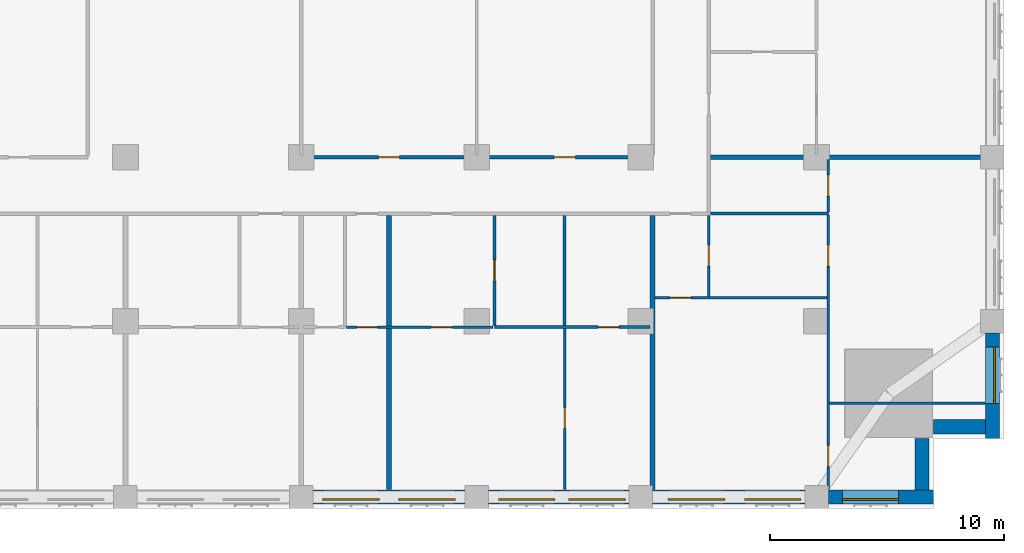
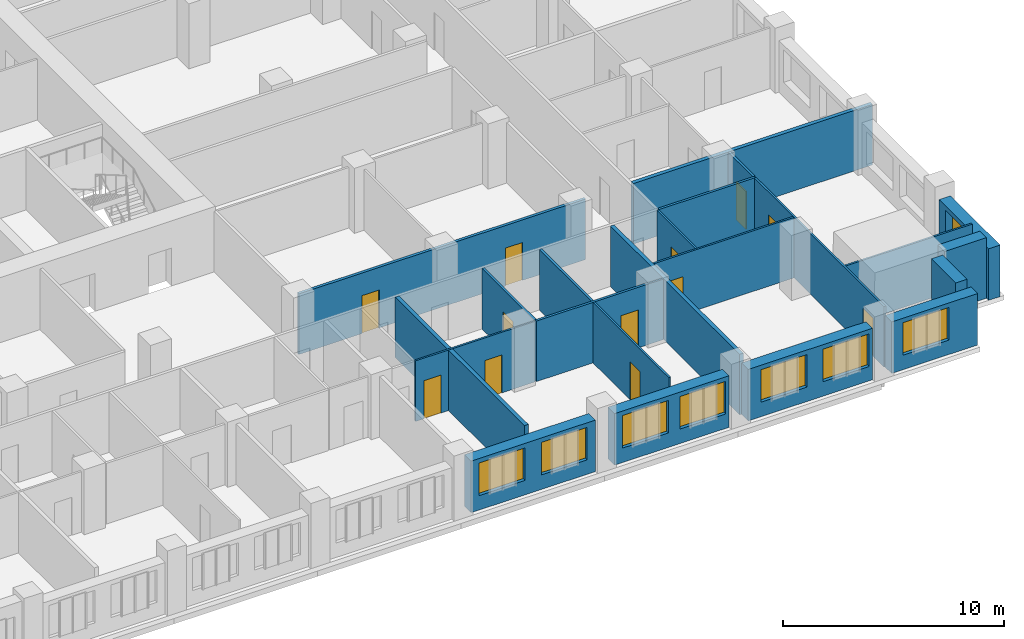
# One storey, part 6 of 14: 22 walls, 12 doors, 8 windows, 20 openings.
"""IFC4 building model written with IfcOpenShell, lengths in metres."""

from ifc_helpers import new_model, si_unit, direction, frame, frame_2d, origin, place, context, subcontext, project, spatial, rectangle, extrude, material, layer, layer_set, type_object, element, fill, save


model = new_model("IFC4")

# Units and contexts
model_context = context("Model", 3, precision=1e-05, world=origin(), true_north=direction((0.0, 1.0)))
body_context = subcontext(model_context, "Body", "Model", "MODEL_VIEW")
ifc_project = project(units=[si_unit("LENGTHUNIT", "METRE"), si_unit("AREAUNIT", "SQUARE_METRE"), si_unit("VOLUMEUNIT", "CUBIC_METRE"), si_unit("PLANEANGLEUNIT", "RADIAN"), si_unit("MASSUNIT", "GRAM", prefix="KILO")], contexts=[model_context])

# Site, building, storey
site_placement = place(None, origin())
site = spatial("IfcSite", under=ifc_project, at=site_placement, CompositionType="ELEMENT")
building_placement = place(site_placement, origin())
building = spatial("IfcBuilding", under=site, at=building_placement, Name="Tamorin Gate", CompositionType="ELEMENT")
storey_placement = place(building_placement, frame((0.0, 0.0, 79.10009765625)))
storey = spatial("IfcBuildingStorey", under=building, at=storey_placement, Name="L18", CompositionType="ELEMENT", Elevation=79.10009765625)

# Wall, openings, windows
ifc_material_1 = material(Name="Precast concrete C40/50", Category="concrete")
ifc_layer_1 = layer(ifc_material_1, 0.60009765625)
ifc_layer_set_1 = layer_set([ifc_layer_1], Name="Precast concrete C40/50")
wall_type_1 = type_object("IfcWallType", Name="Board-marked concrete facade panel 600", PredefinedType="SOLIDWALL", material=ifc_layer_set_1)
wall_1_placement = place(storey_placement, frame((60.5, 38.0, 0.0), z_axis=(0.0, 0.0, 1.0), x_axis=(1.0, 0.0, 0.0)))
wall_1 = element("IfcWall", 1, at=wall_1_placement, inside=storey, type_object=wall_type_1, Name="Facade panel", PredefinedType="SOLIDWALL", context=body_context, shape_type="SweptSolid", body=[
    extrude(rectangle(XDim=6.5, YDim=0.60009765625, at=frame_2d((3.25, 0.0))), origin(), (0.0, 0.0, 1.0), 2.849853515625),
])
opening_1_placement = place(wall_1_placement, frame((0.425048828125, 0.0, 0.800048828125)))
opening_1 = element("IfcOpeningElement", 2, at=opening_1_placement, cuts=wall_1, Name="Opening WN1", PredefinedType="OPENING", context=body_context, shape_type="SweptSolid", body=[
    extrude(rectangle(XDim=2.39990234375, YDim=1.800048828125, at=frame_2d((1.199951171875, 0.89990234375))), frame((0.0, 0.31005859375, 0.0), z_axis=(0.0, -1.0, 0.0), x_axis=(1.0, 0.0, 0.0)), (0.0, 0.0, 1.0), 0.6201171875),
])
opening_2_placement = place(wall_1_placement, frame((3.675048828125, 0.0, 0.800048828125)))
opening_2 = element("IfcOpeningElement", 3, at=opening_2_placement, cuts=wall_1, Name="Opening WN1", PredefinedType="OPENING", context=body_context, shape_type="SweptSolid", body=[
    extrude(rectangle(XDim=2.39990234375, YDim=1.800048828125, at=frame_2d((1.199951171875, 0.89990234375))), frame((0.0, 0.31005859375, 0.0), z_axis=(0.0, -1.0, 0.0), x_axis=(1.0, 0.0, 0.0)), (0.0, 0.0, 1.0), 0.6201171875),
])
ifc_material_2 = material(Name="Clear glass in aluminium frame", Category="aluminium")
window_type = type_object("IfcWindowType", Name="Deep-set window 2400x1800", PartitioningType="SINGLE_PANEL", PredefinedType="WINDOW", material=ifc_material_2)
window_1_placement = place(opening_1_placement, origin())
window_1 = element("IfcWindow", 4, at=window_1_placement, inside=storey, type_object=window_type, Name="Deep-set window", OverallHeight=1.800048828125, OverallWidth=2.39990234375, PartitioningType="SINGLE_PANEL", PredefinedType="WINDOW", context=body_context, shape_type="SweptSolid", body=[
    extrude(rectangle(XDim=2.39990234375, YDim=1.800048828125, at=frame_2d((1.199951171875, 0.89990234375))), frame((0.0, -0.070068359375, 0.0), z_axis=(0.0, -1.0, 0.0), x_axis=(1.0, 0.0, 0.0)), (0.0, 0.0, 1.0), 0.06005859375),
])
fill(opening_1, window_1)
window_2_placement = place(opening_2_placement, origin())
window_2 = element("IfcWindow", 5, at=window_2_placement, inside=storey, type_object=window_type, Name="Deep-set window", OverallHeight=1.800048828125, OverallWidth=2.39990234375, PartitioningType="SINGLE_PANEL", PredefinedType="WINDOW", context=body_context, shape_type="SweptSolid", body=[
    extrude(rectangle(XDim=2.39990234375, YDim=1.800048828125, at=frame_2d((1.199951171875, 0.89990234375))), frame((0.0, -0.070068359375, 0.0), z_axis=(0.0, -1.0, 0.0), x_axis=(1.0, 0.0, 0.0)), (0.0, 0.0, 1.0), 0.06005859375),
])
fill(opening_2, window_2)

wall_2_placement = place(storey_placement, frame((68.0, 38.0, 0.0), z_axis=(0.0, 0.0, 1.0), x_axis=(1.0, 0.0, 0.0)))
wall_2 = element("IfcWall", 6, at=wall_2_placement, inside=storey, type_object=wall_type_1, Name="Facade panel", PredefinedType="SOLIDWALL", context=body_context, shape_type="SweptSolid", body=[
    extrude(rectangle(XDim=6.0, YDim=0.60009765625, at=frame_2d((3.0, 0.0))), origin(), (0.0, 0.0, 1.0), 2.849853515625),
])
opening_3_placement = place(wall_2_placement, frame((0.425048828125, 0.0, 0.800048828125)))
opening_3 = element("IfcOpeningElement", 7, at=opening_3_placement, cuts=wall_2, Name="Opening WN1", PredefinedType="OPENING", context=body_context, shape_type="SweptSolid", body=[
    extrude(rectangle(XDim=2.39990234375, YDim=1.800048828125, at=frame_2d((1.199951171875, 0.89990234375))), frame((0.0, 0.31005859375, 0.0), z_axis=(0.0, -1.0, 0.0), x_axis=(1.0, 0.0, 0.0)), (0.0, 0.0, 1.0), 0.6201171875),
])
opening_4_placement = place(wall_2_placement, frame((3.425048828125, 0.0, 0.800048828125)))
opening_4 = element("IfcOpeningElement", 8, at=opening_4_placement, cuts=wall_2, Name="Opening WN1", PredefinedType="OPENING", context=body_context, shape_type="SweptSolid", body=[
    extrude(rectangle(XDim=2.39990234375, YDim=1.800048828125, at=frame_2d((1.199951171875, 0.89990234375))), frame((0.0, 0.31005859375, 0.0), z_axis=(0.0, -1.0, 0.0), x_axis=(1.0, 0.0, 0.0)), (0.0, 0.0, 1.0), 0.6201171875),
])
window_3_placement = place(opening_3_placement, origin())
window_3 = element("IfcWindow", 9, at=window_3_placement, inside=storey, type_object=window_type, Name="Deep-set window", OverallHeight=1.800048828125, OverallWidth=2.39990234375, PartitioningType="SINGLE_PANEL", PredefinedType="WINDOW", context=body_context, shape_type="SweptSolid", body=[
    extrude(rectangle(XDim=2.39990234375, YDim=1.800048828125, at=frame_2d((1.199951171875, 0.89990234375))), frame((0.0, -0.070068359375, 0.0), z_axis=(0.0, -1.0, 0.0), x_axis=(1.0, 0.0, 0.0)), (0.0, 0.0, 1.0), 0.06005859375),
])
fill(opening_3, window_3)
window_4_placement = place(opening_4_placement, origin())
window_4 = element("IfcWindow", 10, at=window_4_placement, inside=storey, type_object=window_type, Name="Deep-set window", OverallHeight=1.800048828125, OverallWidth=2.39990234375, PartitioningType="SINGLE_PANEL", PredefinedType="WINDOW", context=body_context, shape_type="SweptSolid", body=[
    extrude(rectangle(XDim=2.39990234375, YDim=1.800048828125, at=frame_2d((1.199951171875, 0.89990234375))), frame((0.0, -0.070068359375, 0.0), z_axis=(0.0, -1.0, 0.0), x_axis=(1.0, 0.0, 0.0)), (0.0, 0.0, 1.0), 0.06005859375),
])
fill(opening_4, window_4)

wall_3_placement = place(storey_placement, frame((75.0, 38.0, 0.0), z_axis=(0.0, 0.0, 1.0), x_axis=(1.0, 0.0, 0.0)))
wall_3 = element("IfcWall", 11, at=wall_3_placement, inside=storey, type_object=wall_type_1, Name="Facade panel", PredefinedType="SOLIDWALL", context=body_context, shape_type="SweptSolid", body=[
    extrude(rectangle(XDim=6.5, YDim=0.60009765625, at=frame_2d((3.25, 0.0))), origin(), (0.0, 0.0, 1.0), 2.849853515625),
])
opening_5_placement = place(wall_3_placement, frame((0.675048828125, 0.0, 0.800048828125)))
opening_5 = element("IfcOpeningElement", 12, at=opening_5_placement, cuts=wall_3, Name="Opening WN1", PredefinedType="OPENING", context=body_context, shape_type="SweptSolid", body=[
    extrude(rectangle(XDim=2.39990234375, YDim=1.800048828125, at=frame_2d((1.199951171875, 0.89990234375))), frame((0.0, 0.31005859375, 0.0), z_axis=(0.0, -1.0, 0.0), x_axis=(1.0, 0.0, 0.0)), (0.0, 0.0, 1.0), 0.6201171875),
])
opening_6_placement = place(wall_3_placement, frame((3.925048828125, 0.0, 0.800048828125)))
opening_6 = element("IfcOpeningElement", 13, at=opening_6_placement, cuts=wall_3, Name="Opening WN1", PredefinedType="OPENING", context=body_context, shape_type="SweptSolid", body=[
    extrude(rectangle(XDim=2.39990234375, YDim=1.800048828125, at=frame_2d((1.199951171875, 0.89990234375))), frame((0.0, 0.31005859375, 0.0), z_axis=(0.0, -1.0, 0.0), x_axis=(1.0, 0.0, 0.0)), (0.0, 0.0, 1.0), 0.6201171875),
])
window_5_placement = place(opening_5_placement, origin())
window_5 = element("IfcWindow", 14, at=window_5_placement, inside=storey, type_object=window_type, Name="Deep-set window", OverallHeight=1.800048828125, OverallWidth=2.39990234375, PartitioningType="SINGLE_PANEL", PredefinedType="WINDOW", context=body_context, shape_type="SweptSolid", body=[
    extrude(rectangle(XDim=2.39990234375, YDim=1.800048828125, at=frame_2d((1.199951171875, 0.89990234375))), frame((0.0, -0.070068359375, 0.0), z_axis=(0.0, -1.0, 0.0), x_axis=(1.0, 0.0, 0.0)), (0.0, 0.0, 1.0), 0.06005859375),
])
fill(opening_5, window_5)
window_6_placement = place(opening_6_placement, origin())
window_6 = element("IfcWindow", 15, at=window_6_placement, inside=storey, type_object=window_type, Name="Deep-set window", OverallHeight=1.800048828125, OverallWidth=2.39990234375, PartitioningType="SINGLE_PANEL", PredefinedType="WINDOW", context=body_context, shape_type="SweptSolid", body=[
    extrude(rectangle(XDim=2.39990234375, YDim=1.800048828125, at=frame_2d((1.199951171875, 0.89990234375))), frame((0.0, -0.070068359375, 0.0), z_axis=(0.0, -1.0, 0.0), x_axis=(1.0, 0.0, 0.0)), (0.0, 0.0, 1.0), 0.06005859375),
])
fill(opening_6, window_6)

# Wall, opening, window
wall_4_placement = place(storey_placement, frame((82.5, 38.0, 0.0), z_axis=(0.0, 0.0, 1.0), x_axis=(1.0, 0.0, 0.0)))
wall_4 = element("IfcWall", 16, at=wall_4_placement, inside=storey, type_object=wall_type_1, Name="Facade panel", PredefinedType="SOLIDWALL", context=body_context, shape_type="SweptSolid", body=[
    extrude(rectangle(XDim=4.5, YDim=0.60009765625, at=frame_2d((2.25, 0.0))), origin(), (0.0, 0.0, 1.0), 2.849853515625),
])
opening_7_placement = place(wall_4_placement, frame((0.60009765625, 0.0, 0.800048828125)))
opening_7 = element("IfcOpeningElement", 17, at=opening_7_placement, cuts=wall_4, Name="Opening WN1", PredefinedType="OPENING", context=body_context, shape_type="SweptSolid", body=[
    extrude(rectangle(XDim=2.39990234375, YDim=1.800048828125, at=frame_2d((1.199951171875, 0.89990234375))), frame((0.0, 0.31005859375, 0.0), z_axis=(0.0, -1.0, 0.0), x_axis=(1.0, 0.0, 0.0)), (0.0, 0.0, 1.0), 0.6201171875),
])
window_7_placement = place(opening_7_placement, origin())
window_7 = element("IfcWindow", 18, at=window_7_placement, inside=storey, type_object=window_type, Name="Deep-set window", OverallHeight=1.800048828125, OverallWidth=2.39990234375, PartitioningType="SINGLE_PANEL", PredefinedType="WINDOW", context=body_context, shape_type="SweptSolid", body=[
    extrude(rectangle(XDim=2.39990234375, YDim=1.800048828125, at=frame_2d((1.199951171875, 0.89990234375))), frame((0.0, -0.070068359375, 0.0), z_axis=(0.0, -1.0, 0.0), x_axis=(1.0, 0.0, 0.0)), (0.0, 0.0, 1.0), 0.06005859375),
])
fill(opening_7, window_7)

# Walls
for number, where, z_axis, x_axis, name in (
    (19, (86.5, 38.300048828125, 0.0), (0.0, 0.0, 1.0), (0.0, 1.0, 0.0), "Facade panel"),
    (20, (87.0, 41.0, 0.0), (0.0, 0.0, 1.0), (1.0, 0.0, 0.0), "Facade panel"),
):
    element("IfcWall", number, at=place(storey_placement, frame(where, z_axis=z_axis, x_axis=x_axis)), inside=storey, type_object=wall_type_1, Name=name, PredefinedType="SOLIDWALL", context=body_context, shape_type="SweptSolid", body=[
        extrude(rectangle(XDim=2.199951171875, YDim=0.60009765625, at=frame_2d((1.10009765625, 0.0))), origin(), (0.0, 0.0, 1.0), 3.349853515625),
    ])

# Wall, opening, window
wall_5_placement = place(storey_placement, frame((89.5, 40.5, 0.0), z_axis=(0.0, 0.0, 1.0), x_axis=(0.0, 1.0, 0.0)))
wall_5 = element("IfcWall", 21, at=wall_5_placement, inside=storey, type_object=wall_type_1, Name="Facade panel", PredefinedType="SOLIDWALL", context=body_context, shape_type="SweptSolid", body=[
    extrude(rectangle(XDim=4.5, YDim=0.60009765625, at=frame_2d((2.25, 0.0))), origin(), (0.0, 0.0, 1.0), 2.849853515625),
])
opening_8_placement = place(wall_5_placement, frame((1.5, 0.0, 0.800048828125)))
opening_8 = element("IfcOpeningElement", 22, at=opening_8_placement, cuts=wall_5, Name="Opening WN1", PredefinedType="OPENING", context=body_context, shape_type="SweptSolid", body=[
    extrude(rectangle(XDim=2.39990234375, YDim=1.800048828125, at=frame_2d((1.199951171875, 0.89990234375))), frame((0.0, 0.31005859375, 0.0), z_axis=(0.0, -1.0, 0.0), x_axis=(1.0, 0.0, 0.0)), (0.0, 0.0, 1.0), 0.6201171875),
])
window_8_placement = place(opening_8_placement, origin())
window_8 = element("IfcWindow", 23, at=window_8_placement, inside=storey, type_object=window_type, Name="Deep-set window", OverallHeight=1.800048828125, OverallWidth=2.39990234375, PartitioningType="SINGLE_PANEL", PredefinedType="WINDOW", context=body_context, shape_type="SweptSolid", body=[
    extrude(rectangle(XDim=2.39990234375, YDim=1.800048828125, at=frame_2d((1.199951171875, 0.89990234375))), frame((0.0, -0.070068359375, 0.0), z_axis=(0.0, -1.0, 0.0), x_axis=(1.0, 0.0, 0.0)), (0.0, 0.0, 1.0), 0.06005859375),
])
fill(opening_8, window_8)

# Wall, openings, doors
ifc_material_3 = material(Name="Gypsum board partition")
ifc_layer_2 = layer(ifc_material_3, 0.14990234375)
ifc_layer_set_2 = layer_set([ifc_layer_2], Name="Corridor wall 150")
wall_type_2 = type_object("IfcWallType", Name="Corridor wall 150", PredefinedType="PARTITIONING", material=ifc_layer_set_2)
wall_6_placement = place(storey_placement, frame((60.0, 52.5, 0.0), z_axis=(0.0, 0.0, 1.0), x_axis=(1.0, 0.0, 0.0)))
wall_6 = element("IfcWall", 24, at=wall_6_placement, inside=storey, type_object=wall_type_2, Name="Corridor wall 150", PredefinedType="PARTITIONING", context=body_context, shape_type="SweptSolid", body=[
    extrude(rectangle(XDim=15.0, YDim=0.14990234375, at=frame_2d((7.5, 0.0))), origin(), (0.0, 0.0, 1.0), 3.349853515625),
])
opening_9_placement = place(wall_6_placement, frame((3.300048828125, 0.0, 0.0)))
opening_9 = element("IfcOpeningElement", 25, at=opening_9_placement, cuts=wall_6, Name="Opening DH5074", PredefinedType="OPENING", context=body_context, shape_type="SweptSolid", body=[
    extrude(rectangle(XDim=0.89990234375, YDim=2.10009765625, at=frame_2d((0.449951171875, 1.050048828125))), frame((0.0, 0.0849609375, 0.0), z_axis=(0.0, -1.0, 0.0), x_axis=(1.0, 0.0, 0.0)), (0.0, 0.0, 1.0), 0.169921875),
])
opening_10_placement = place(wall_6_placement, frame((10.800048828125, 0.0, 0.0)))
opening_10 = element("IfcOpeningElement", 26, at=opening_10_placement, cuts=wall_6, Name="Opening DH5075", PredefinedType="OPENING", context=body_context, shape_type="SweptSolid", body=[
    extrude(rectangle(XDim=0.89990234375, YDim=2.10009765625, at=frame_2d((0.449951171875, 1.050048828125))), frame((0.0, 0.0849609375, 0.0), z_axis=(0.0, -1.0, 0.0), x_axis=(1.0, 0.0, 0.0)), (0.0, 0.0, 1.0), 0.169921875),
])
ifc_material_4 = material(Name="Timber door leaf", Category="wood")
door_type_1 = type_object("IfcDoorType", Name="Door 900 x 2100 FD30S", OperationType="NOTDEFINED", PredefinedType="DOOR", material=ifc_material_4)
door_1_placement = place(opening_9_placement, origin())
door_1 = element("IfcDoor", 27, at=door_1_placement, inside=storey, type_object=door_type_1, Name="Door DH5074", OperationType="SINGLE_SWING_LEFT", OverallHeight=2.10009765625, OverallWidth=0.89990234375, PredefinedType="DOOR", context=body_context, shape_type="SweptSolid", body=[
    extrude(rectangle(XDim=0.89990234375, YDim=2.10009765625, at=frame_2d((0.449951171875, 1.050048828125))), frame((0.0, 0.02490234375, 0.0), z_axis=(0.0, -1.0, 0.0), x_axis=(1.0, 0.0, 0.0)), (0.0, 0.0, 1.0), 0.050048828125),
])
fill(opening_9, door_1)
door_2_placement = place(opening_10_placement, origin())
door_2 = element("IfcDoor", 28, at=door_2_placement, inside=storey, type_object=door_type_1, Name="Door DH5075", OperationType="SINGLE_SWING_LEFT", OverallHeight=2.10009765625, OverallWidth=0.89990234375, PredefinedType="DOOR", context=body_context, shape_type="SweptSolid", body=[
    extrude(rectangle(XDim=0.89990234375, YDim=2.10009765625, at=frame_2d((0.449951171875, 1.050048828125))), frame((0.0, 0.02490234375, 0.0), z_axis=(0.0, -1.0, 0.0), x_axis=(1.0, 0.0, 0.0)), (0.0, 0.0, 1.0), 0.050048828125),
])
fill(opening_10, door_2)

# Walls
ifc_layer_3 = layer(ifc_material_3, 0.199951171875)
ifc_layer_set_3 = layer_set([ifc_layer_3], Name="Demising wall 200")
wall_type_3 = type_object("IfcWallType", Name="Demising wall 200", PredefinedType="PARTITIONING", material=ifc_layer_set_3)
wall_7_placement = place(storey_placement, frame((77.47509765625, 52.5, 0.0), z_axis=(0.0, 0.0, 1.0), x_axis=(1.0, 0.0, 0.0)))
element("IfcWall", 29, at=wall_7_placement, inside=storey, type_object=wall_type_3, Name="Demising wall 200", PredefinedType="PARTITIONING", context=body_context, shape_type="SweptSolid", body=[
    extrude(rectangle(XDim=12.52490234375, YDim=0.199951171875, at=frame_2d((6.262451171875, 0.0))), origin(), (0.0, 0.0, 1.0), 3.349853515625),
])
for number, where, z_axis, x_axis, name in (
    (30, (63.75, 38.31005859375, 0.0), (0.0, 0.0, 1.0), (0.0, 1.0, 0.0), "Demising wall 200"),
    (31, (75.0, 38.31005859375, 0.0), (0.0, 0.0, 1.0), (0.0, 1.0, 0.0), "Demising wall 200"),
):
    element("IfcWall", number, at=place(storey_placement, frame(where, z_axis=z_axis, x_axis=x_axis)), inside=storey, type_object=wall_type_3, Name=name, PredefinedType="PARTITIONING", context=body_context, shape_type="SweptSolid", body=[
        extrude(rectangle(XDim=11.71484375, YDim=0.199951171875, at=frame_2d((5.857421875, 0.0))), origin(), (0.0, 0.0, 1.0), 3.349853515625),
    ])
ifc_layer_4 = layer(ifc_material_3, 0.10009765625)
ifc_layer_set_4 = layer_set([ifc_layer_4], Name="Room partition 100")
wall_type_4 = type_object("IfcWallType", Name="Room partition 100", PredefinedType="PARTITIONING", material=ifc_layer_set_4)
wall_8_placement = place(storey_placement, frame((82.550048828125, 42.0, 0.0), z_axis=(0.0, 0.0, 1.0), x_axis=(1.0, 0.0, 0.0)))
element("IfcWall", 32, at=wall_8_placement, inside=storey, type_object=wall_type_4, Name="Room partition 100", PredefinedType="PARTITIONING", context=body_context, shape_type="SweptSolid", body=[
    extrude(rectangle(XDim=6.639892578125, YDim=0.10009765625, at=frame_2d((3.31982421875, 0.0))), origin(), (0.0, 0.0, 1.0), 3.349853515625),
])

# Wall, openings, doors
wall_9_placement = place(storey_placement, frame((61.9375, 45.25, 0.0), z_axis=(0.0, 0.0, 1.0), x_axis=(1.0, 0.0, 0.0)))
wall_9 = element("IfcWall", 33, at=wall_9_placement, inside=storey, type_object=wall_type_4, Name="Room partition 100", PredefinedType="PARTITIONING", context=body_context, shape_type="SweptSolid", body=[
    extrude(rectangle(XDim=6.25, YDim=0.10009765625, at=frame_2d((3.125, 0.0))), origin(), (0.0, 0.0, 1.0), 3.349853515625),
])
opening_11_placement = place(wall_9_placement, frame((0.425048828125, 0.0, 0.0)))
opening_11 = element("IfcOpeningElement", 34, at=opening_11_placement, cuts=wall_9, Name="Opening DH5015", PredefinedType="OPENING", context=body_context, shape_type="SweptSolid", body=[
    extrude(rectangle(XDim=0.89990234375, YDim=2.10009765625, at=frame_2d((0.449951171875, 1.050048828125))), frame((0.0, 0.06005859375, 0.0), z_axis=(0.0, -1.0, 0.0), x_axis=(1.0, 0.0, 0.0)), (0.0, 0.0, 1.0), 0.1201171875),
])
opening_12_placement = place(wall_9_placement, frame((3.612548828125, 0.0, 0.0)))
opening_12 = element("IfcOpeningElement", 35, at=opening_12_placement, cuts=wall_9, Name="Opening DH5017", PredefinedType="OPENING", context=body_context, shape_type="SweptSolid", body=[
    extrude(rectangle(XDim=0.89990234375, YDim=2.10009765625, at=frame_2d((0.449951171875, 1.050048828125))), frame((0.0, 0.06005859375, 0.0), z_axis=(0.0, -1.0, 0.0), x_axis=(1.0, 0.0, 0.0)), (0.0, 0.0, 1.0), 0.1201171875),
])
door_type_2 = type_object("IfcDoorType", Name="Door 900 x 2100", OperationType="NOTDEFINED", PredefinedType="DOOR", material=ifc_material_4)
door_3_placement = place(opening_11_placement, origin())
door_3 = element("IfcDoor", 36, at=door_3_placement, inside=storey, type_object=door_type_2, Name="Door DH5015", OperationType="SINGLE_SWING_LEFT", OverallHeight=2.10009765625, OverallWidth=0.89990234375, PredefinedType="DOOR", context=body_context, shape_type="SweptSolid", body=[
    extrude(rectangle(XDim=0.89990234375, YDim=2.10009765625, at=frame_2d((0.449951171875, 1.050048828125))), frame((0.0, 0.02490234375, 0.0), z_axis=(0.0, -1.0, 0.0), x_axis=(1.0, 0.0, 0.0)), (0.0, 0.0, 1.0), 0.050048828125),
])
fill(opening_11, door_3)
door_4_placement = place(opening_12_placement, origin())
door_4 = element("IfcDoor", 37, at=door_4_placement, inside=storey, type_object=door_type_2, Name="Door DH5017", OperationType="SINGLE_SWING_LEFT", OverallHeight=2.10009765625, OverallWidth=0.89990234375, PredefinedType="DOOR", context=body_context, shape_type="SweptSolid", body=[
    extrude(rectangle(XDim=0.89990234375, YDim=2.10009765625, at=frame_2d((0.449951171875, 1.050048828125))), frame((0.0, 0.02490234375, 0.0), z_axis=(0.0, -1.0, 0.0), x_axis=(1.0, 0.0, 0.0)), (0.0, 0.0, 1.0), 0.050048828125),
])
fill(opening_12, door_4)

# Wall, opening, door
wall_10_placement = place(storey_placement, frame((75.10009765625, 46.5, 0.0), z_axis=(0.0, 0.0, 1.0), x_axis=(1.0, 0.0, 0.0)))
wall_10 = element("IfcWall", 38, at=wall_10_placement, inside=storey, type_object=wall_type_4, Name="Room partition 100", PredefinedType="PARTITIONING", context=body_context, shape_type="SweptSolid", body=[
    extrude(rectangle(XDim=7.349853515625, YDim=0.10009765625, at=frame_2d((3.6748046875, 0.0))), origin(), (0.0, 0.0, 1.0), 3.349853515625),
])
opening_13_placement = place(wall_10_placement, frame((0.64990234375, 0.0, 0.0)))
opening_13 = element("IfcOpeningElement", 39, at=opening_13_placement, cuts=wall_10, Name="Opening DH5061", PredefinedType="OPENING", context=body_context, shape_type="SweptSolid", body=[
    extrude(rectangle(XDim=0.89990234375, YDim=2.10009765625, at=frame_2d((0.449951171875, 1.050048828125))), frame((0.0, 0.06005859375, 0.0), z_axis=(0.0, -1.0, 0.0), x_axis=(1.0, 0.0, 0.0)), (0.0, 0.0, 1.0), 0.1201171875),
])
door_5_placement = place(opening_13_placement, origin())
door_5 = element("IfcDoor", 40, at=door_5_placement, inside=storey, type_object=door_type_2, Name="Door DH5061", OperationType="SINGLE_SWING_RIGHT", OverallHeight=2.10009765625, OverallWidth=0.89990234375, PredefinedType="DOOR", context=body_context, shape_type="SweptSolid", body=[
    extrude(rectangle(XDim=0.89990234375, YDim=2.10009765625, at=frame_2d((0.449951171875, 1.050048828125))), frame((0.0, 0.02490234375, 0.0), z_axis=(0.0, -1.0, 0.0), x_axis=(1.0, 0.0, 0.0)), (0.0, 0.0, 1.0), 0.050048828125),
])
fill(opening_13, door_5)

wall_11_placement = place(storey_placement, frame((71.25, 38.31005859375, 0.0), z_axis=(0.0, 0.0, 1.0), x_axis=(0.0, 1.0, 0.0)))
wall_11 = element("IfcWall", 41, at=wall_11_placement, inside=storey, type_object=wall_type_4, Name="Room partition 100", PredefinedType="PARTITIONING", context=body_context, shape_type="SweptSolid", body=[
    extrude(rectangle(XDim=6.87744140625, YDim=0.10009765625, at=frame_2d((3.438720703125, 0.0))), origin(), (0.0, 0.0, 1.0), 3.349853515625),
])
opening_14_placement = place(wall_11_placement, frame((2.614990234375, 0.0, 0.0)))
opening_14 = element("IfcOpeningElement", 42, at=opening_14_placement, cuts=wall_11, Name="Opening DH5020", PredefinedType="OPENING", context=body_context, shape_type="SweptSolid", body=[
    extrude(rectangle(XDim=0.89990234375, YDim=2.10009765625, at=frame_2d((0.449951171875, 1.050048828125))), frame((0.0, 0.06005859375, 0.0), z_axis=(0.0, -1.0, 0.0), x_axis=(1.0, 0.0, 0.0)), (0.0, 0.0, 1.0), 0.1201171875),
])
door_6_placement = place(opening_14_placement, origin())
door_6 = element("IfcDoor", 43, at=door_6_placement, inside=storey, type_object=door_type_2, Name="Door DH5020", OperationType="SINGLE_SWING_LEFT", OverallHeight=2.10009765625, OverallWidth=0.89990234375, PredefinedType="DOOR", context=body_context, shape_type="SweptSolid", body=[
    extrude(rectangle(XDim=0.89990234375, YDim=2.10009765625, at=frame_2d((0.449951171875, 1.050048828125))), frame((0.0, 0.02490234375, 0.0), z_axis=(0.0, -1.0, 0.0), x_axis=(1.0, 0.0, 0.0)), (0.0, 0.0, 1.0), 0.050048828125),
])
fill(opening_14, door_6)

wall_12_placement = place(storey_placement, frame((77.39990234375, 46.550048828125, 0.0), z_axis=(0.0, 0.0, 1.0), x_axis=(0.0, 1.0, 0.0)))
wall_12 = element("IfcWall", 44, at=wall_12_placement, inside=storey, type_object=wall_type_4, Name="Room partition 100", PredefinedType="PARTITIONING", context=body_context, shape_type="SweptSolid", body=[
    extrude(rectangle(XDim=3.474853515625, YDim=0.10009765625, at=frame_2d((1.7373046875, 0.0))), origin(), (0.0, 0.0, 1.0), 3.349853515625),
])
opening_15_placement = place(wall_12_placement, frame((1.300048828125, 0.0, 0.0)))
opening_15 = element("IfcOpeningElement", 45, at=opening_15_placement, cuts=wall_12, Name="Opening DH5062", PredefinedType="OPENING", context=body_context, shape_type="SweptSolid", body=[
    extrude(rectangle(XDim=0.89990234375, YDim=2.10009765625, at=frame_2d((0.449951171875, 1.050048828125))), frame((0.0, 0.06005859375, 0.0), z_axis=(0.0, -1.0, 0.0), x_axis=(1.0, 0.0, 0.0)), (0.0, 0.0, 1.0), 0.1201171875),
])
door_7_placement = place(opening_15_placement, origin())
door_7 = element("IfcDoor", 46, at=door_7_placement, inside=storey, type_object=door_type_2, Name="Door DH5062", OperationType="SINGLE_SWING_RIGHT", OverallHeight=2.10009765625, OverallWidth=0.89990234375, PredefinedType="DOOR", context=body_context, shape_type="SweptSolid", body=[
    extrude(rectangle(XDim=0.89990234375, YDim=2.10009765625, at=frame_2d((0.449951171875, 1.050048828125))), frame((0.0, 0.02490234375, 0.0), z_axis=(0.0, -1.0, 0.0), x_axis=(1.0, 0.0, 0.0)), (0.0, 0.0, 1.0), 0.050048828125),
])
fill(opening_15, door_7)

# Wall, openings, doors
wall_13_placement = place(storey_placement, frame((82.5, 38.31005859375, 0.0), z_axis=(0.0, 0.0, 1.0), x_axis=(0.0, 1.0, 0.0)))
wall_13 = element("IfcWall", 47, at=wall_13_placement, inside=storey, type_object=wall_type_4, Name="Room partition 100", PredefinedType="PARTITIONING", context=body_context, shape_type="SweptSolid", body=[
    extrude(rectangle(XDim=11.7275390625, YDim=0.10009765625, at=frame_2d((5.86376953125, 0.0))), origin(), (0.0, 0.0, 1.0), 3.349853515625),
])
opening_16_placement = place(wall_13_placement, frame((0.989990234375, 0.0, 0.0)))
opening_16 = element("IfcOpeningElement", 48, at=opening_16_placement, cuts=wall_13, Name="Opening DH5063", PredefinedType="OPENING", context=body_context, shape_type="SweptSolid", body=[
    extrude(rectangle(XDim=0.89990234375, YDim=2.10009765625, at=frame_2d((0.449951171875, 1.050048828125))), frame((0.0, 0.06005859375, 0.0), z_axis=(0.0, -1.0, 0.0), x_axis=(1.0, 0.0, 0.0)), (0.0, 0.0, 1.0), 0.1201171875),
])
opening_17_placement = place(wall_13_placement, frame((9.5400390625, 0.0, 0.0)))
opening_17 = element("IfcOpeningElement", 49, at=opening_17_placement, cuts=wall_13, Name="Opening DH5064", PredefinedType="OPENING", context=body_context, shape_type="SweptSolid", body=[
    extrude(rectangle(XDim=0.89990234375, YDim=2.10009765625, at=frame_2d((0.449951171875, 1.050048828125))), frame((0.0, 0.06005859375, 0.0), z_axis=(0.0, -1.0, 0.0), x_axis=(1.0, 0.0, 0.0)), (0.0, 0.0, 1.0), 0.1201171875),
])
door_8_placement = place(opening_16_placement, origin())
door_8 = element("IfcDoor", 50, at=door_8_placement, inside=storey, type_object=door_type_2, Name="Door DH5063", OperationType="SINGLE_SWING_LEFT", OverallHeight=2.10009765625, OverallWidth=0.89990234375, PredefinedType="DOOR", context=body_context, shape_type="SweptSolid", body=[
    extrude(rectangle(XDim=0.89990234375, YDim=2.10009765625, at=frame_2d((0.449951171875, 1.050048828125))), frame((0.0, 0.02490234375, 0.0), z_axis=(0.0, -1.0, 0.0), x_axis=(1.0, 0.0, 0.0)), (0.0, 0.0, 1.0), 0.050048828125),
])
fill(opening_16, door_8)
door_9_placement = place(opening_17_placement, origin())
door_9 = element("IfcDoor", 51, at=door_9_placement, inside=storey, type_object=door_type_2, Name="Door DH5064", OperationType="SINGLE_SWING_RIGHT", OverallHeight=2.10009765625, OverallWidth=0.89990234375, PredefinedType="DOOR", context=body_context, shape_type="SweptSolid", body=[
    extrude(rectangle(XDim=0.89990234375, YDim=2.10009765625, at=frame_2d((0.449951171875, 1.050048828125))), frame((0.0, 0.02490234375, 0.0), z_axis=(0.0, -1.0, 0.0), x_axis=(1.0, 0.0, 0.0)), (0.0, 0.0, 1.0), 0.050048828125),
])
fill(opening_17, door_9)

# Wall, opening, door
ifc_layer_5 = layer(ifc_material_3, 0.125)
ifc_layer_set_5 = layer_set([ifc_layer_5], Name="Wet wall 125")
wall_type_5 = type_object("IfcWallType", Name="Wet wall 125", PredefinedType="PARTITIONING", material=ifc_layer_set_5)
wall_14_placement = place(storey_placement, frame((68.25, 45.25, 0.0), z_axis=(0.0, 0.0, 1.0), x_axis=(1.0, 0.0, 0.0)))
wall_14 = element("IfcWall", 52, at=wall_14_placement, inside=storey, type_object=wall_type_5, Name="Wet wall 125", PredefinedType="PARTITIONING", context=body_context, shape_type="SweptSolid", body=[
    extrude(rectangle(XDim=6.64990234375, YDim=0.125, at=frame_2d((3.324951171875, 0.0))), origin(), (0.0, 0.0, 1.0), 3.349853515625),
])
opening_18_placement = place(wall_14_placement, frame((4.425048828125, 0.0, 0.0)))
opening_18 = element("IfcOpeningElement", 53, at=opening_18_placement, cuts=wall_14, Name="Opening DH5019", PredefinedType="OPENING", context=body_context, shape_type="SweptSolid", body=[
    extrude(rectangle(XDim=0.89990234375, YDim=2.10009765625, at=frame_2d((0.449951171875, 1.050048828125))), frame((0.0, 0.072509765625, 0.0), z_axis=(0.0, -1.0, 0.0), x_axis=(1.0, 0.0, 0.0)), (0.0, 0.0, 1.0), 0.14501953125),
])
door_10_placement = place(opening_18_placement, origin())
door_10 = element("IfcDoor", 54, at=door_10_placement, inside=storey, type_object=door_type_2, Name="Door DH5019", OperationType="SINGLE_SWING_LEFT", OverallHeight=2.10009765625, OverallWidth=0.89990234375, PredefinedType="DOOR", context=body_context, shape_type="SweptSolid", body=[
    extrude(rectangle(XDim=0.89990234375, YDim=2.10009765625, at=frame_2d((0.449951171875, 1.050048828125))), frame((0.0, 0.02490234375, 0.0), z_axis=(0.0, -1.0, 0.0), x_axis=(1.0, 0.0, 0.0)), (0.0, 0.0, 1.0), 0.050048828125),
])
fill(opening_18, door_10)

# Wall
wall_15_placement = place(storey_placement, frame((77.47509765625, 50.10009765625, 0.0), z_axis=(0.0, 0.0, 1.0), x_axis=(1.0, 0.0, 0.0)))
element("IfcWall", 55, at=wall_15_placement, inside=storey, type_object=wall_type_5, Name="Wet wall 125", PredefinedType="PARTITIONING", context=body_context, shape_type="SweptSolid", body=[
    extrude(rectangle(XDim=5.02490234375, YDim=0.125, at=frame_2d((2.512451171875, 0.0))), origin(), (0.0, 0.0, 1.0), 3.349853515625),
])

# Wall, opening, door
wall_16_placement = place(storey_placement, frame((68.25, 45.3125, 0.0), z_axis=(0.0, 0.0, 1.0), x_axis=(0.0, 1.0, 0.0)))
wall_16 = element("IfcWall", 56, at=wall_16_placement, inside=storey, type_object=wall_type_5, Name="Wet wall 125", PredefinedType="PARTITIONING", context=body_context, shape_type="SweptSolid", body=[
    extrude(rectangle(XDim=4.71240234375, YDim=0.125, at=frame_2d((2.356201171875, 0.0))), origin(), (0.0, 0.0, 1.0), 3.349853515625),
])
opening_19_placement = place(wall_16_placement, frame((1.91259765625, 0.0, 0.0)))
opening_19 = element("IfcOpeningElement", 57, at=opening_19_placement, cuts=wall_16, Name="Opening DH5018", PredefinedType="OPENING", context=body_context, shape_type="SweptSolid", body=[
    extrude(rectangle(XDim=0.89990234375, YDim=2.10009765625, at=frame_2d((0.449951171875, 1.050048828125))), frame((0.0, 0.072509765625, 0.0), z_axis=(0.0, -1.0, 0.0), x_axis=(1.0, 0.0, 0.0)), (0.0, 0.0, 1.0), 0.14501953125),
])
door_11_placement = place(opening_19_placement, origin())
door_11 = element("IfcDoor", 58, at=door_11_placement, inside=storey, type_object=door_type_2, Name="Door DH5018", OperationType="SINGLE_SWING_LEFT", OverallHeight=2.10009765625, OverallWidth=0.89990234375, PredefinedType="DOOR", context=body_context, shape_type="SweptSolid", body=[
    extrude(rectangle(XDim=0.89990234375, YDim=2.10009765625, at=frame_2d((0.449951171875, 1.050048828125))), frame((0.0, 0.02490234375, 0.0), z_axis=(0.0, -1.0, 0.0), x_axis=(1.0, 0.0, 0.0)), (0.0, 0.0, 1.0), 0.050048828125),
])
fill(opening_19, door_11)

# Wall
wall_17_placement = place(storey_placement, frame((71.25, 45.3125, 0.0), z_axis=(0.0, 0.0, 1.0), x_axis=(0.0, 1.0, 0.0)))
element("IfcWall", 59, at=wall_17_placement, inside=storey, type_object=wall_type_5, Name="Wet wall 125", PredefinedType="PARTITIONING", context=body_context, shape_type="SweptSolid", body=[
    extrude(rectangle(XDim=4.71240234375, YDim=0.125, at=frame_2d((2.356201171875, 0.0))), origin(), (0.0, 0.0, 1.0), 3.349853515625),
])

# Wall, opening, door
wall_18_placement = place(storey_placement, frame((82.5, 50.16259765625, 0.0), z_axis=(0.0, 0.0, 1.0), x_axis=(0.0, 1.0, 0.0)))
wall_18 = element("IfcWall", 60, at=wall_18_placement, inside=storey, type_object=wall_type_5, Name="Wet wall 125", PredefinedType="PARTITIONING", context=body_context, shape_type="SweptSolid", body=[
    extrude(rectangle(XDim=2.2373046875, YDim=0.125, at=frame_2d((1.11865234375, 0.0))), origin(), (0.0, 0.0, 1.0), 3.349853515625),
])
opening_20_placement = place(wall_18_placement, frame((0.6875, 0.0, 0.0)))
opening_20 = element("IfcOpeningElement", 61, at=opening_20_placement, cuts=wall_18, Name="Opening DH5065", PredefinedType="OPENING", context=body_context, shape_type="SweptSolid", body=[
    extrude(rectangle(XDim=0.89990234375, YDim=2.10009765625, at=frame_2d((0.449951171875, 1.050048828125))), frame((0.0, 0.072509765625, 0.0), z_axis=(0.0, -1.0, 0.0), x_axis=(1.0, 0.0, 0.0)), (0.0, 0.0, 1.0), 0.14501953125),
])
door_12_placement = place(opening_20_placement, origin())
door_12 = element("IfcDoor", 62, at=door_12_placement, inside=storey, type_object=door_type_2, Name="Door DH5065", OperationType="SINGLE_SWING_LEFT", OverallHeight=2.10009765625, OverallWidth=0.89990234375, PredefinedType="DOOR", context=body_context, shape_type="SweptSolid", body=[
    extrude(rectangle(XDim=0.89990234375, YDim=2.10009765625, at=frame_2d((0.449951171875, 1.050048828125))), frame((0.0, 0.02490234375, 0.0), z_axis=(0.0, -1.0, 0.0), x_axis=(1.0, 0.0, 0.0)), (0.0, 0.0, 1.0), 0.050048828125),
])
fill(opening_20, door_12)

save(model, "model.ifc")
